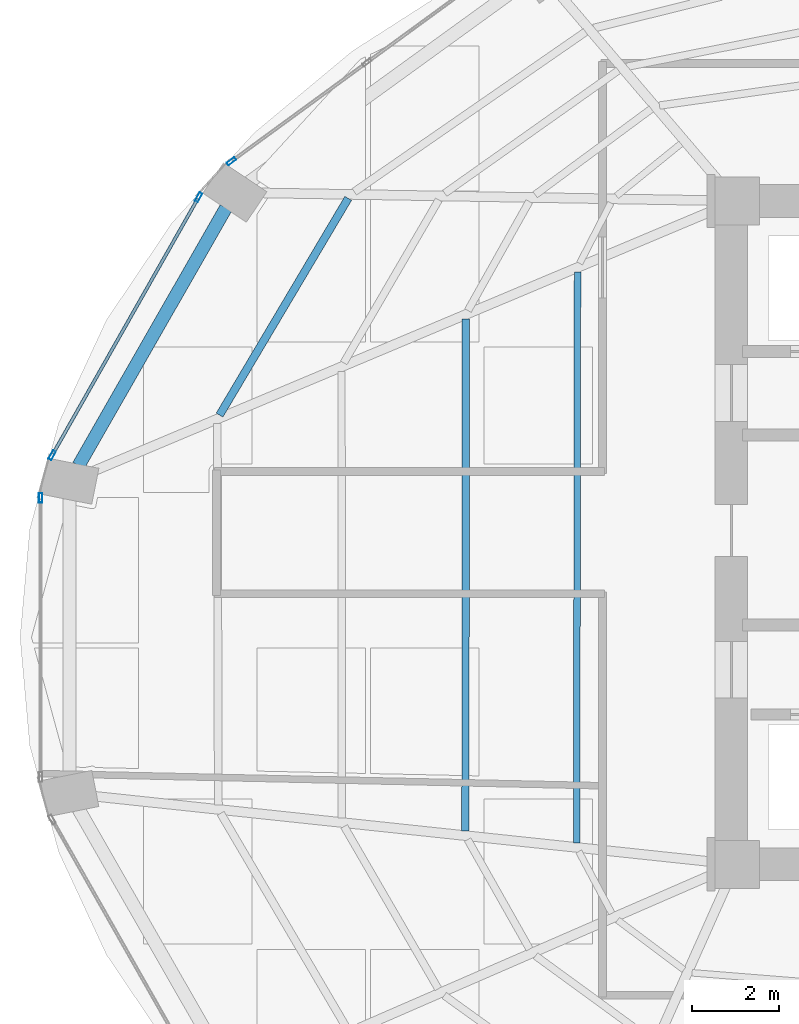
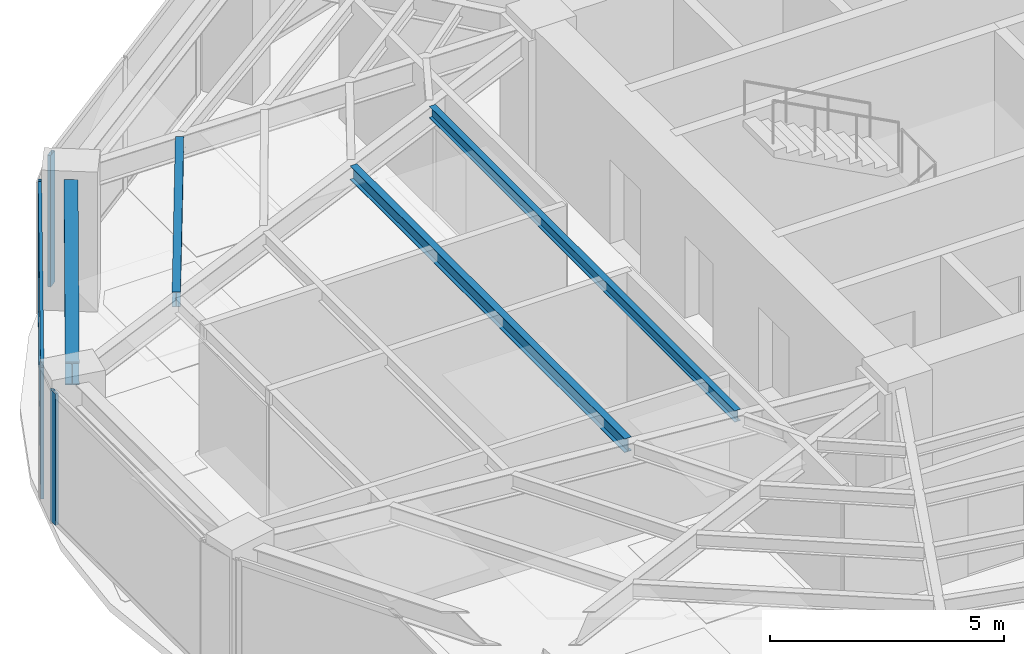
# One storey, part 8 of 23: 6 members, 4 beams, 3 elements without a shape of their own.
"""IFC4 building model written with IfcOpenShell, lengths in metres."""

from ifc_helpers import new_model, si_unit, direction, frame, origin, origin_2d, place, context, subcontext, project, spatial, hollow_rectangle, i_section, extrude, material, layer, layer_set, material_profile, profile_set, type_object, element, aggregate, save


model = new_model("IFC4")

# Units and contexts
model_context = context("Model", 3, precision=1e-05, world=origin(), true_north=direction((0.0, 1.0)))
body_context = subcontext(model_context, "Body", "Model", "MODEL_VIEW")
ifc_project = project(units=[si_unit("LENGTHUNIT", "METRE"), si_unit("AREAUNIT", "SQUARE_METRE"), si_unit("VOLUMEUNIT", "CUBIC_METRE"), si_unit("PLANEANGLEUNIT", "RADIAN"), si_unit("MASSUNIT", "GRAM", prefix="KILO")], contexts=[model_context])

# Site, building, storey
site_placement = place(None, origin())
site = spatial("IfcSite", under=ifc_project, at=site_placement, CompositionType="ELEMENT")
building_placement = place(site_placement, origin())
building = spatial("IfcBuilding", under=site, at=building_placement, Name="Lazwardi Medical Tower", CompositionType="ELEMENT")
storey_placement = place(building_placement, frame((0.0, 0.0, 107.280029296875)))
storey = spatial("IfcBuildingStorey", under=building, at=storey_placement, Name="L27", CompositionType="ELEMENT", Elevation=107.280029296875)

# Beams
ifc_material_1 = material(Name="Steel S355", Category="steel")
ifc_material_profile_1 = material_profile(ifc_material_1, i_section(OverallWidth=0.300048828125, OverallDepth=0.60009765625, WebThickness=0.015380859375, FlangeThickness=0.030029296875, at=origin_2d()), Name="HEB 600")
ifc_profile_set_1 = profile_set([ifc_material_profile_1], Name="Steel S355")
beam_type_1 = type_object("IfcBeamType", Name="BM-RB-Z2", PredefinedType="BEAM", material=ifc_profile_set_1)
beam_1_placement = place(storey_placement, frame((14.718505859375, 35.438720703125, 3.1279296875), z_axis=(-0.496653025517, -0.867949176072, 0.0), x_axis=(0.867949176072, -0.496653025517, 0.0)))
element("IfcBeam", 1, at=beam_1_placement, inside=storey, type_object=beam_type_1, Name="Ring beam RB-03 B11 L27", PredefinedType="BEAM", context=body_context, shape_type="SweptSolid", body=[
    extrude(i_section(OverallWidth=0.300048828125, OverallDepth=0.60009765625, WebThickness=0.015380859375, FlangeThickness=0.030029296875, at=origin_2d()), origin(), (0.0, 0.0, 1.0), 6.80078125),
])
ifc_material_profile_2 = material_profile(ifc_material_1, i_section(OverallWidth=0.179931640625, OverallDepth=0.39990234375, WebThickness=0.008544921875, FlangeThickness=0.013427734375, at=origin_2d()), Name="IPE 400")
ifc_profile_set_2 = profile_set([ifc_material_profile_2], Name="Steel S355")
beam_type_2 = type_object("IfcBeamType", Name="BM-SJ-01", PredefinedType="JOIST", material=ifc_profile_set_2)
beam_2_placement = place(storey_placement, frame((17.52099609375, 35.659423828125, 3.22802734375), z_axis=(-0.510499691073, -0.859877936346, 0.0), x_axis=(0.859877936346, -0.510499691073, 0.0)))
element("IfcBeam", 2, at=beam_2_placement, inside=storey, type_object=beam_type_2, Name="Secondary joist SJ-01 R1 B11 L27", PredefinedType="JOIST", context=body_context, shape_type="SweptSolid", body=[
    extrude(i_section(OverallWidth=0.179931640625, OverallDepth=0.39990234375, WebThickness=0.008544921875, FlangeThickness=0.013427734375, at=origin_2d()), origin(), (0.0, 0.0, 1.0), 5.776123046875),
])
ifc_material_profile_3 = material_profile(ifc_material_1, i_section(OverallWidth=0.169921875, OverallDepth=0.360107421875, WebThickness=0.008056640625, FlangeThickness=0.0126953125, at=origin_2d()), Name="IPE 360")
ifc_profile_set_3 = profile_set([ifc_material_profile_3], Name="Steel S355")
beam_type_3 = type_object("IfcBeamType", Name="BM-SJ-02", PredefinedType="JOIST", material=ifc_profile_set_3)
beam_3_placement = place(storey_placement, frame((20.212890625, 32.892578125, 3.248046875), z_axis=(-0.000561961365, -0.9999998421, 0.0), x_axis=(0.9999998421, -0.000561961365, 0.0)))
element("IfcBeam", 3, at=beam_3_placement, inside=storey, type_object=beam_type_3, Name="Secondary joist SJ-02 R3 B12 L27", PredefinedType="JOIST", context=body_context, shape_type="SweptSolid", body=[
    extrude(i_section(OverallWidth=0.169921875, OverallDepth=0.360107421875, WebThickness=0.008056640625, FlangeThickness=0.0126953125, at=origin_2d()), origin(), (0.0, 0.0, 1.0), 11.72998046875),
])
ifc_material_profile_4 = material_profile(ifc_material_1, i_section(OverallWidth=0.14990234375, OverallDepth=0.300048828125, WebThickness=0.007080078125, FlangeThickness=0.0107421875, at=origin_2d()), Name="IPE 300")
ifc_profile_set_4 = profile_set([ifc_material_profile_4], Name="Steel S355")
beam_type_4 = type_object("IfcBeamType", Name="BM-SJ-03", PredefinedType="JOIST", material=ifc_profile_set_4)
beam_4_placement = place(storey_placement, frame((22.77490234375, 33.97021484375, 3.278076171875), z_axis=(-0.00156809843, -0.999998770533, 0.0), x_axis=(0.999998770533, -0.00156809843, 0.0)))
element("IfcBeam", 4, at=beam_4_placement, inside=storey, type_object=beam_type_4, Name="Secondary joist SJ-03 R4 B12 L27", PredefinedType="JOIST", context=body_context, shape_type="SweptSolid", body=[
    extrude(i_section(OverallWidth=0.14990234375, OverallDepth=0.300048828125, WebThickness=0.007080078125, FlangeThickness=0.0107421875, at=origin_2d()), origin(), (0.0, 0.0, 1.0), 13.078125),
])

# Curtain wall, member
ifc_material_2 = material(Name="Anodised bronze aluminium and solar control glazing", Category="aluminium")
ifc_layer = layer(ifc_material_2, 0.195068359375)
ifc_layer_set = layer_set([ifc_layer], Name="Anodised bronze aluminium and solar control glazing")
curtain_wall_type = type_object("IfcCurtainWallType", Name="CW-SYS-03", PredefinedType="NOTDEFINED", material=ifc_layer_set)
curtain_wall_1_placement = place(storey_placement, origin())
curtain_wall_1 = element("IfcCurtainWall", 5, at=curtain_wall_1_placement, inside=storey, type_object=curtain_wall_type, Name="L27 Unitised bronze curtain wall CW-03", PredefinedType="NOTDEFINED")
ifc_material_3 = material(Name="Anodised bronze aluminium", Category="aluminium")
ifc_material_profile_5 = material_profile(ifc_material_3, hollow_rectangle(XDim=0.074951171875, YDim=0.219970703125, WallThickness=0.00390625, at=origin_2d()), Name="ALU-MULLION 220x75x4")
ifc_profile_set_5 = profile_set([ifc_material_profile_5], Name="Anodised bronze aluminium")
member_type_1 = type_object("IfcMemberType", Name="CW-MUL-01", PredefinedType="MULLION", material=ifc_profile_set_5)
member_1_placement = place(storey_placement, frame((14.844970703125, 36.5087890625, 0.0), z_axis=(0.0, 0.0, 1.0), x_axis=(0.589530882802, -0.807745837639, 0.0)))
member_1 = element("IfcMember", 6, at=member_1_placement, type_object=member_type_1, Name="CW-03 mullion 3", PredefinedType="MULLION", context=body_context, shape_type="SweptSolid", body=[
    extrude(hollow_rectangle(XDim=0.074951171875, YDim=0.219970703125, WallThickness=0.00390625, at=origin_2d()), origin(), (0.0, 0.0, 1.0), 3.427978515625),
])
aggregate(curtain_wall_1, [member_1])

# Curtain wall, members
curtain_wall_2_placement = place(storey_placement, origin())
curtain_wall_2 = element("IfcCurtainWall", 7, at=curtain_wall_2_placement, inside=storey, type_object=curtain_wall_type, Name="L27 Unitised bronze curtain wall CW-03", PredefinedType="NOTDEFINED")
member_2_placement = place(storey_placement, frame((14.0927734375, 35.685791015625, 0.0), z_axis=(0.0, 0.0, 1.0), x_axis=(0.869687265712, -0.493603140041, 0.0)))
member_2 = element("IfcMember", 8, at=member_2_placement, type_object=member_type_1, Name="CW-03 mullion 1", PredefinedType="MULLION", context=body_context, shape_type="SweptSolid", body=[
    extrude(hollow_rectangle(XDim=0.074951171875, YDim=0.219970703125, WallThickness=0.00390625, at=origin_2d()), origin(), (0.0, 0.0, 1.0), 3.427978515625),
])
member_3_placement = place(storey_placement, frame((10.7373046875, 29.77392578125, 0.0), z_axis=(0.0, 0.0, 1.0), x_axis=(0.869687265712, -0.493603140041, 0.0)))
member_3 = element("IfcMember", 9, at=member_3_placement, type_object=member_type_1, Name="CW-03 mullion 2", PredefinedType="MULLION", context=body_context, shape_type="SweptSolid", body=[
    extrude(hollow_rectangle(XDim=0.074951171875, YDim=0.219970703125, WallThickness=0.00390625, at=origin_2d()), origin(), (0.0, 0.0, 1.0), 3.427978515625),
])

# Curtain wall, member
curtain_wall_3_placement = place(storey_placement, origin())
curtain_wall_3 = element("IfcCurtainWall", 10, at=curtain_wall_3_placement, inside=storey, type_object=curtain_wall_type, Name="L27 Unitised bronze curtain wall CW-03", PredefinedType="NOTDEFINED")
member_4_placement = place(storey_placement, frame((10.471923828125, 28.79736328125, 0.0), z_axis=(0.0, 0.0, 1.0), x_axis=(1.0, 0.0, 0.0)))
member_4 = element("IfcMember", 11, at=member_4_placement, type_object=member_type_1, Name="CW-03 mullion 1", PredefinedType="MULLION", context=body_context, shape_type="SweptSolid", body=[
    extrude(hollow_rectangle(XDim=0.074951171875, YDim=0.219970703125, WallThickness=0.00390625, at=origin_2d()), origin(), (0.0, 0.0, 1.0), 3.427978515625),
])
aggregate(curtain_wall_3, [member_4])

# Member
ifc_material_profile_6 = material_profile(ifc_material_3, hollow_rectangle(XDim=0.074951171875, YDim=0.159912109375, WallThickness=0.00390625, at=origin_2d()), Name="ALU-TRANSOM 160x75x4")
ifc_profile_set_6 = profile_set([ifc_material_profile_6], Name="Anodised bronze aluminium")
member_type_2 = type_object("IfcMemberType", Name="CW-TRN-01", PredefinedType="USERDEFINED", material=ifc_profile_set_6)
member_5_placement = place(storey_placement, frame((14.074462890625, 35.6533203125, 0.037353515625), z_axis=(-0.493614427365, -0.869680859337, 0.0), x_axis=(0.869680859337, -0.493614427365, 0.0)))
member_5 = element("IfcMember", 12, at=member_5_placement, type_object=member_type_2, Name="CW-03 transom 1.1", ObjectType="TRANSOM", PredefinedType="USERDEFINED", context=body_context, shape_type="SweptSolid", body=[
    extrude(hollow_rectangle(XDim=0.074951171875, YDim=0.159912109375, WallThickness=0.00390625, at=origin_2d()), origin(), (0.0, 0.0, 1.0), 6.72314453125),
])

member_6_placement = place(storey_placement, frame((14.074462890625, 35.6533203125, 3.390380859375), z_axis=(-0.493614427365, -0.869680859337, 0.0), x_axis=(0.869680859337, -0.493614427365, 0.0)))
member_6 = element("IfcMember", 13, at=member_6_placement, type_object=member_type_2, Name="CW-03 transom 1.2", ObjectType="TRANSOM", PredefinedType="USERDEFINED", context=body_context, shape_type="SweptSolid", body=[
    extrude(hollow_rectangle(XDim=0.074951171875, YDim=0.159912109375, WallThickness=0.00390625, at=origin_2d()), origin(), (0.0, 0.0, 1.0), 6.72314453125),
])

aggregate(curtain_wall_2, [member_2, member_3, member_5, member_6])

save(model, "model.ifc")
